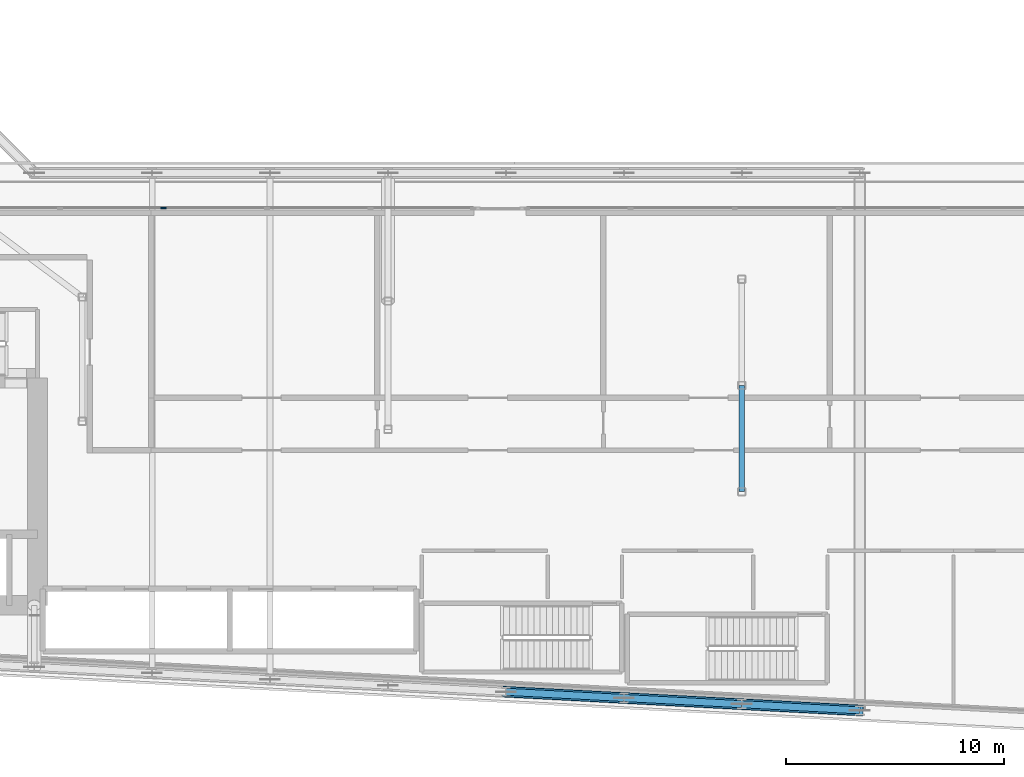
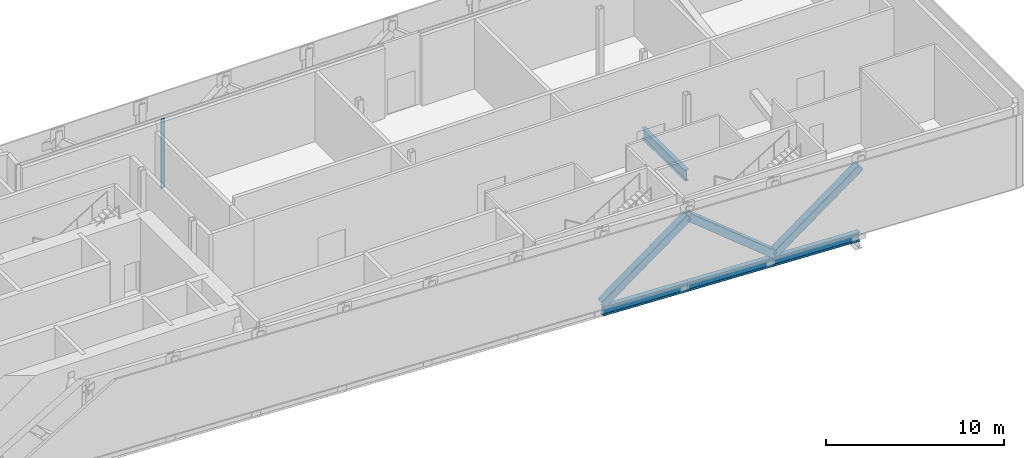
# One storey, part 6 of 30: 4 beams, 4 members, 1 element without a shape of its own.
"""IFC4 building model written with IfcOpenShell, lengths in metres."""

import ifcopenshell
import ifcopenshell.guid

model = None  # the IFC model being written
_history = None  # IfcOwnerHistory: only IFC2X3 demands one
_inside = {}  # id of a spatial element -> (the spatial element, [elements in it])
_under = {}  # id of a project, library or spatial element -> (it, [spatial elements below it])
_declared = {}  # id of a project -> (the project, [libraries it declares])
_typed = {}  # id of a type object -> (the type object, [elements of that type])
_made_of = {}  # id of a material, layer set ... -> (it, [elements and type objects made of it])


def new_model(schema):
    """Start an empty IFC model of exactly this schema.

    Asked for "IFC4X3", IfcOpenShell would pick the latest addendum, in which some entities
    have other attributes; the version numbers below select the first issue.
    IFC2X3 requires an IfcOwnerHistory on every rooted entity: one is made here for all.
    """
    global model, _history
    if schema == "IFC4X3":
        model = ifcopenshell.file(schema_version=(4, 3, 0, 0))
    else:
        model = ifcopenshell.file(schema=schema)
    _inside.clear()
    _under.clear()
    _declared.clear()
    _typed.clear()
    _made_of.clear()
    _history = None
    if model.schema == "IFC2X3":
        org = make("IfcOrganization", Name="unknown")
        user = make(
            "IfcPersonAndOrganization",
            ThePerson=make("IfcPerson", FamilyName="unknown"),
            TheOrganization=org,
        )
        app = make(
            "IfcApplication",
            ApplicationDeveloper=org,
            Version="unknown",
            ApplicationFullName="unknown",
            ApplicationIdentifier="unknown",
        )
        _history = make(
            "IfcOwnerHistory",
            OwningUser=user,
            OwningApplication=app,
            ChangeAction="ADDED",
            CreationDate=0,
        )
    return model


def make(cls, **values):
    """One entity of the class cls with the attributes given. An attribute that is None is left unset."""
    return model.create_entity(
        cls, **{name: value for name, value in values.items() if value is not None}
    )


def rooted(cls, **values):
    """An entity with a GlobalId (a new one), such as an element, a storey or a relation."""
    return make(cls, GlobalId=ifcopenshell.guid.new(), OwnerHistory=_history, **values)


def si_unit(unit_type, name, prefix=None):
    """IfcSIUnit, for example si_unit("LENGTHUNIT", "METRE", prefix="MILLI")."""
    return make("IfcSIUnit", UnitType=unit_type, Prefix=prefix, Name=name)


def assignment(units):
    """IfcUnitAssignment: the units of a project."""
    return None if units is None else make("IfcUnitAssignment", Units=units)


def point(xyz):
    """IfcCartesianPoint."""
    return None if xyz is None else make("IfcCartesianPoint", Coordinates=xyz)


def direction(xyz):
    """IfcDirection."""
    return None if xyz is None else make("IfcDirection", DirectionRatios=xyz)


def frame(location, z_axis=None, x_axis=None):
    """IfcAxis2Placement3D, a coordinate frame: its origin and axes. An axis left out is left unset."""
    return make(
        "IfcAxis2Placement3D",
        Location=point(location),
        Axis=direction(z_axis),
        RefDirection=direction(x_axis),
    )


def frame_2d(location, x_axis=None):
    """IfcAxis2Placement2D, a coordinate frame in the plane: its origin and x axis."""
    return make(
        "IfcAxis2Placement2D", Location=point(location), RefDirection=direction(x_axis)
    )


def origin():
    """The frame at (0, 0, 0) with its axes left unset."""
    return frame((0.0, 0.0, 0.0))


def origin_2d():
    """The frame at (0, 0) in the plane with its x axis left unset."""
    return frame_2d((0.0, 0.0))


def place(relative_to, where):
    """IfcLocalPlacement: puts the frame where relative to a parent placement (None: the world)."""
    return make(
        "IfcLocalPlacement", PlacementRelTo=relative_to, RelativePlacement=where
    )


def context(
    kind, dimensions, precision=None, world=None, true_north=None, identifier=None
):
    """IfcGeometricRepresentationContext, for example the 3D "Model" context."""
    return make(
        "IfcGeometricRepresentationContext",
        ContextIdentifier=identifier,
        ContextType=kind,
        CoordinateSpaceDimension=dimensions,
        Precision=precision,
        WorldCoordinateSystem=world,
        TrueNorth=true_north,
    )


def subcontext(parent, identifier, kind, view, scale=None):
    """IfcGeometricRepresentationSubContext, for example "Body" below "Model"."""
    return make(
        "IfcGeometricRepresentationSubContext",
        ContextIdentifier=identifier,
        ContextType=kind,
        ParentContext=parent,
        TargetScale=scale,
        TargetView=view,
    )


def project(units=None, contexts=None):
    """IfcProject with its units and contexts."""
    return rooted(
        "IfcProject",
        Name="project",
        RepresentationContexts=contexts,
        UnitsInContext=assignment(units),
    )


def spatial(cls, under=None, at=None, **own):
    """A site, building, storey or space (cls), placed at a placement, below another one or the project."""
    s = rooted(cls, ObjectPlacement=at, **own)
    if under is not None:
        _under.setdefault(under.id(), (under, []))[1].append(s)
    return s


def profile(cls, at=None, kind="AREA", **sizes):
    """A parametric profile (cls). Its sizes go by their IFC names, for example OverallWidth=200.0."""
    return make(cls, ProfileType=kind, Position=at, **sizes)


def rectangle(**sizes):
    """IfcRectangleProfileDef."""
    return profile("IfcRectangleProfileDef", **sizes)


def hollow_rectangle(**sizes):
    """IfcRectangleHollowProfileDef."""
    return profile("IfcRectangleHollowProfileDef", **sizes)


def i_section(**sizes):
    """IfcIShapeProfileDef."""
    return profile("IfcIShapeProfileDef", **sizes)


def extrude(swept, where, along, depth):
    """IfcExtrudedAreaSolid: the profile swept, set in the frame where, extruded along a direction by depth."""
    return make(
        "IfcExtrudedAreaSolid",
        SweptArea=swept,
        Position=where,
        ExtrudedDirection=direction(along),
        Depth=depth,
    )


def shape(context_of_items, identifier, shape_type, items):
    """IfcShapeRepresentation: the items that make up one representation, for example the "Body"."""
    return make(
        "IfcShapeRepresentation",
        ContextOfItems=context_of_items,
        RepresentationIdentifier=identifier,
        RepresentationType=shape_type,
        Items=items,
    )


def material(Name=None, Category=None):
    """IfcMaterial."""
    return make("IfcMaterial", Name=Name, Category=Category)


def layer(
    of_material, thickness, ventilated=None, Name=None, Category=None, Priority=None
):
    """IfcMaterialLayer: one layer of a wall or slab, of a material (None: an air gap)."""
    return make(
        "IfcMaterialLayer",
        Material=of_material,
        LayerThickness=thickness,
        IsVentilated=ventilated,
        Name=Name,
        Category=Category,
        Priority=Priority,
    )


def layer_set(layers, Name=None):
    """IfcMaterialLayerSet."""
    return make("IfcMaterialLayerSet", MaterialLayers=layers, LayerSetName=Name)


def material_profile(
    of_material, cross_section, Name=None, Category=None, Priority=None
):
    """IfcMaterialProfile: a cross section and its material."""
    return make(
        "IfcMaterialProfile",
        Name=Name,
        Material=of_material,
        Profile=cross_section,
        Priority=Priority,
        Category=Category,
    )


def profile_set(profiles, Name=None, composite=None):
    """IfcMaterialProfileSet."""
    return make(
        "IfcMaterialProfileSet",
        Name=Name,
        MaterialProfiles=profiles,
        CompositeProfile=composite,
    )


def made_of(thing, what):
    """Note that an element or type object is made of a material, layer set ...; save() writes the relation."""
    if what is not None:
        _made_of.setdefault(what.id(), (what, []))[1].append(thing)
    return thing


def type_object(cls, material=None, **own):
    """A type object (cls), such as IfcWallType, which elements share."""
    return made_of(rooted(cls, **own), material)


def element(
    cls,
    number,
    at=None,
    inside=None,
    cuts=None,
    type_object=None,
    material=None,
    context=None,
    identifier="Body",
    shape_type=None,
    held_by="IfcProductDefinitionShape",
    body=None,
    shapes=None,
    **own,
):
    """One element of the class cls, such as IfcWall. Its Tag is "e" and its number.

    at: its placement. inside: the storey or other place that contains it. cuts: it is an
    opening in that element (IfcRelVoidsElement). A single representation is given by context,
    identifier, shape_type and body (its items); several are given by shapes. held_by: the class
    of the entity that holds the representations. save() writes the other relations.
    """
    e = rooted(cls, Tag="e%d" % number, ObjectPlacement=at, **own)
    if body is not None:
        shapes = [shape(context, identifier, shape_type, body)]
    if shapes is not None:
        e.Representation = make(held_by, Representations=shapes)
    if inside is not None:
        _inside.setdefault(inside.id(), (inside, []))[1].append(e)
    if cuts is not None:
        rooted(
            "IfcRelVoidsElement", RelatingBuildingElement=cuts, RelatedOpeningElement=e
        )
    if type_object is not None:
        _typed.setdefault(type_object.id(), (type_object, []))[1].append(e)
    return made_of(e, material)


def aggregate(whole, parts):
    """IfcRelAggregates: a whole, such as a stair, and the parts it consists of."""
    return rooted("IfcRelAggregates", RelatingObject=whole, RelatedObjects=parts)


def save(model, path):
    """Write the relations noted so far, then the file.

    IfcRelAggregates (storeys below a building ...), IfcRelContainedInSpatialStructure (elements
    in a storey), IfcRelDefinesByType, IfcRelAssociatesMaterial and IfcRelDeclares: one each for
    every whole, place, type object, material and project.
    """
    for whole, parts in _under.values():
        aggregate(whole, parts)
    for where, things in _inside.values():
        rooted(
            "IfcRelContainedInSpatialStructure",
            RelatedElements=things,
            RelatingStructure=where,
        )
    for kind, things in _typed.values():
        rooted("IfcRelDefinesByType", RelatedObjects=things, RelatingType=kind)
    for what, things in _made_of.values():
        rooted("IfcRelAssociatesMaterial", RelatedObjects=things, RelatingMaterial=what)
    for by, libraries in _declared.values():
        rooted("IfcRelDeclares", RelatingContext=by, RelatedDefinitions=libraries)
    model.write(path)


model = new_model("IFC4")

# Units and contexts
model_context = context("Model", 3, precision=1e-05, world=origin(), true_north=direction((0.0, 1.0)))
body_context = subcontext(model_context, "Body", "Model", "MODEL_VIEW")
ifc_project = project(units=[si_unit("LENGTHUNIT", "METRE"), si_unit("AREAUNIT", "SQUARE_METRE"), si_unit("VOLUMEUNIT", "CUBIC_METRE"), si_unit("PLANEANGLEUNIT", "RADIAN"), si_unit("MASSUNIT", "GRAM", prefix="KILO")], contexts=[model_context])

# Site, building, storey
site_placement = place(None, origin())
site = spatial("IfcSite", under=ifc_project, at=site_placement, CompositionType="ELEMENT")
building_placement = place(site_placement, origin())
building = spatial("IfcBuilding", under=site, at=building_placement, Name="Kheshtan School and Residences Tower", CompositionType="ELEMENT")
storey_placement = place(building_placement, frame((0.0, 0.0, 89.0)))
storey = spatial("IfcBuildingStorey", under=building, at=storey_placement, Name="L20", CompositionType="ELEMENT", Elevation=89.0)

# Beams
ifc_material_1 = material(Name="Steel ASTM A992 Grade 50", Category="steel")
ifc_material_profile_1 = material_profile(ifc_material_1, i_section(OverallWidth=0.264892578125, OverallDepth=0.7529296875, WebThickness=0.01318359375, FlangeThickness=0.01708984375, FilletRadius=0.015380859375, at=origin_2d()), Name="W760x147")
ifc_profile_set_1 = profile_set([ifc_material_profile_1], Name="Steel ASTM A992 Grade 50")
beam_type_1 = type_object("IfcBeamType", Name="Beam FB7 W760x147 ASTM A992 Grade 50", PredefinedType="BEAM", material=ifc_profile_set_1)
beam_1_placement = place(storey_placement, frame((85.39990234375, 31.0048828125, -0.526611328125), z_axis=(0.0, 1.0, 0.0), x_axis=(-1.0, 0.0, 0.0)))
element("IfcBeam", 1, at=beam_1_placement, inside=storey, type_object=beam_type_1, Name="Floor beam IC", PredefinedType="BEAM", context=body_context, shape_type="SweptSolid", body=[
    extrude(i_section(OverallWidth=0.264892578125, OverallDepth=0.7529296875, WebThickness=0.01318359375, FlangeThickness=0.01708984375, FilletRadius=0.015380859375, at=origin_2d()), origin(), (0.0, 0.0, 1.0), 4.865234375),
])
ifc_material_profile_2 = material_profile(ifc_material_1, i_section(OverallWidth=0.324951171875, OverallDepth=0.615966796875, WebThickness=0.013916015625, FlangeThickness=0.021484375, FilletRadius=0.0185546875, at=origin_2d()), Name="W610x174")
ifc_profile_set_2 = profile_set([ifc_material_profile_2], Name="Steel ASTM A992 Grade 50")
beam_type_2 = type_object("IfcBeamType", Name="Beam SP5 W610x174 ASTM A992 Grade 50", PredefinedType="BEAM", material=ifc_profile_set_2)
beam_2_placement = place(storey_placement, frame((90.800048828125, 20.989990234375, -0.4580078125), z_axis=(-0.998620571751, 0.05250670125, 0.0), x_axis=(-0.05250670125, -0.998620571751, 0.0)))
element("IfcBeam", 2, at=beam_2_placement, inside=storey, type_object=beam_type_2, Name="Spandrel beam C006-C008", PredefinedType="BEAM", context=body_context, shape_type="SweptSolid", body=[
    extrude(i_section(OverallWidth=0.324951171875, OverallDepth=0.615966796875, WebThickness=0.013916015625, FlangeThickness=0.021484375, FilletRadius=0.0185546875, at=origin_2d()), origin(), (0.0, 0.0, 1.0), 5.40771484375),
])
for number, where, z_axis, x_axis, name in (
    (3, (85.39990234375, 21.27392578125, -0.4580078125), (-0.998618078766, 0.052554093665, 0.0), (-0.052554093665, -0.998618078766, 0.0), "Spandrel beam C008-C012"),
    (4, (80.0, 21.55810546875, -0.4580078125), (-0.998610961136, 0.052689166816, 0.0), (-0.052689166816, -0.998610961136, 0.0), "Spandrel beam C012-C013"),
):
    element("IfcBeam", number, at=place(storey_placement, frame(where, z_axis=z_axis, x_axis=x_axis)), inside=storey, type_object=beam_type_2, Name=name, PredefinedType="BEAM", context=body_context, shape_type="SweptSolid", body=[
        extrude(i_section(OverallWidth=0.324951171875, OverallDepth=0.615966796875, WebThickness=0.013916015625, FlangeThickness=0.021484375, FilletRadius=0.0185546875, at=origin_2d()), origin(), (0.0, 0.0, 1.0), 5.407470703125),
    ])

# Curtain wall, member
ifc_material_2 = material(Name="Clear low-e glass in thermally broken aluminium frame", Category="aluminium")
ifc_layer = layer(ifc_material_2, 0.25)
ifc_layer_set = layer_set([ifc_layer], Name="Curtain wall CW-G")
curtain_wall_type = type_object("IfcCurtainWallType", Name="Curtain wall CW-G", PredefinedType="NOTDEFINED", material=ifc_layer_set)
curtain_wall_placement = place(storey_placement, origin())
curtain_wall = element("IfcCurtainWall", 5, at=curtain_wall_placement, inside=storey, type_object=curtain_wall_type, Name="Curtain wall CWG5b", PredefinedType="NOTDEFINED")
ifc_material_3 = material(Name="Thermally broken aluminium, dark bronze anodised", Category="aluminium")
ifc_material_profile_3 = material_profile(ifc_material_3, rectangle(XDim=0.06005859375, YDim=0.25, at=origin_2d()), Name="CW-G mullion 60x250")
ifc_profile_set_3 = profile_set([ifc_material_profile_3], Name="Thermally broken aluminium, dark bronze anodised")
member_type_1 = type_object("IfcMemberType", Name="CW-G mullion 60x250", PredefinedType="MULLION", material=ifc_profile_set_3)
member_1_placement = place(storey_placement, frame((58.909912109375, 44.0, 0.0), z_axis=(0.0, 0.0, 1.0), x_axis=(0.0, 1.0, 0.0)))
member_1 = element("IfcMember", 6, at=member_1_placement, type_object=member_type_1, Name="CWG5b mullion 3", PredefinedType="MULLION", context=body_context, shape_type="SweptSolid", body=[
    extrude(rectangle(XDim=0.06005859375, YDim=0.25, at=origin_2d()), origin(), (0.0, 0.0, 1.0), 4.7900390625),
])
aggregate(curtain_wall, [member_1])

# Members
ifc_material_4 = material(Name="Steel ASTM A500 Grade C", Category="steel")
ifc_material_profile_4 = material_profile(ifc_material_4, hollow_rectangle(XDim=0.508056640625, YDim=0.508056640625, WallThickness=0.01904296875, InnerFilletRadius=0.01904296875, OuterFilletRadius=0.0380859375, at=origin_2d()), Name="HSS 508x508x19")
ifc_profile_set_4 = profile_set([ifc_material_profile_4], Name="Steel ASTM A500 Grade C")
member_type_2 = type_object("IfcMemberType", Name="Member BT2 HSS 508x508x19 ASTM A500 Grade C", PredefinedType="BRACE", material=ifc_profile_set_4)
member_2_placement = place(storey_placement, frame((85.39990234375, 21.27392578125, 0.050048828125), z_axis=(0.781847515022, -0.041108940728, 0.622112946534), x_axis=(0.05250670125, 0.998620571751, 0.0)))
element("IfcMember", 7, at=member_2_placement, inside=storey, type_object=member_type_2, Name="Belt truss diagonal C006-C008", PredefinedType="BRACE", context=body_context, shape_type="SweptSolid", body=[
    extrude(hollow_rectangle(XDim=0.508056640625, YDim=0.508056640625, WallThickness=0.01904296875, InnerFilletRadius=0.01904296875, OuterFilletRadius=0.0380859375, at=origin_2d()), origin(), (0.0, 0.0, 1.0), 6.906982421875),
])
for number, where, z_axis, x_axis, name in (
    (8, (85.39990234375, 21.27392578125, 0.050048828125), (-0.781832637811, 0.041145365332, 0.62212923526), (-0.052554093665, -0.998618078766, 0.0), "Belt truss diagonal C008-C012"),
    (9, (74.60009765625, 21.843017578125, 0.050048828125), (0.781829222106, -0.041251229867, 0.622126517274), (0.052689166816, 0.998610961136, 0.0), "Belt truss diagonal C012-C013"),
):
    element("IfcMember", number, at=place(storey_placement, frame(where, z_axis=z_axis, x_axis=x_axis)), inside=storey, type_object=member_type_2, Name=name, PredefinedType="BRACE", context=body_context, shape_type="SweptSolid", body=[
        extrude(hollow_rectangle(XDim=0.508056640625, YDim=0.508056640625, WallThickness=0.01904296875, InnerFilletRadius=0.01904296875, OuterFilletRadius=0.0380859375, at=origin_2d()), origin(), (0.0, 0.0, 1.0), 6.90673828125),
    ])

save(model, "model.ifc")
